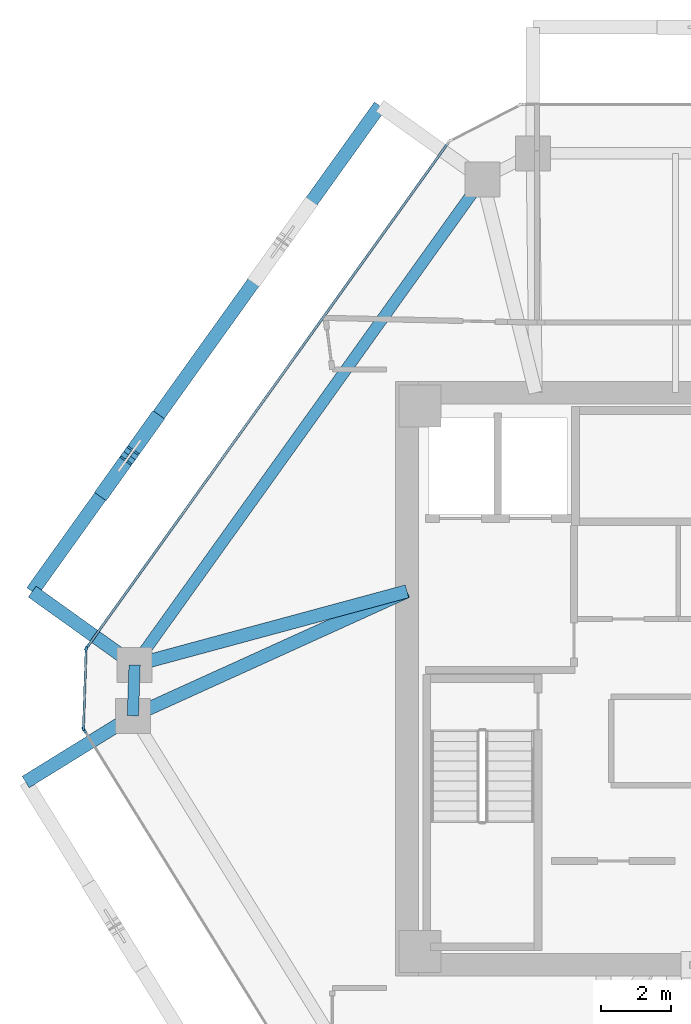
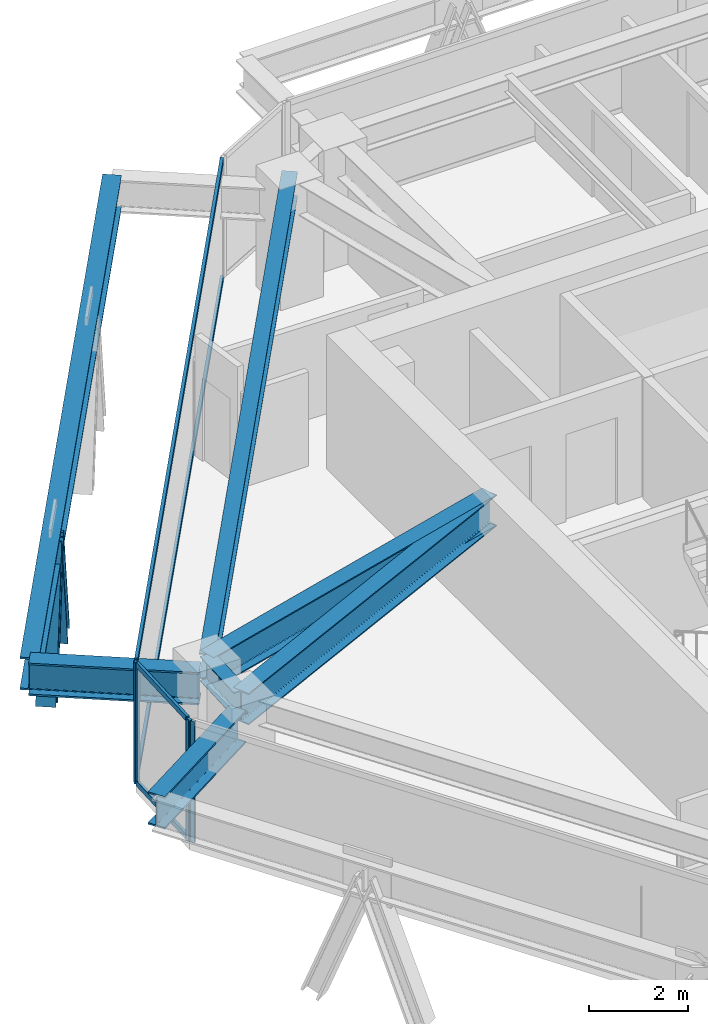
# One storey, part 4 of 14: 10 members, 7 beams, 3 elements without a shape of their own.
"""IFC4 building model written with IfcOpenShell, lengths in metres."""

from ifc_helpers import new_model, si_unit, direction, frame, origin, origin_2d, place, context, subcontext, project, spatial, rectangle, i_section, extrude, source, transform, mapped, material, layer, layer_set, material_profile, profile_set, type_object, type_shapes, element, aggregate, save


model = new_model("IFC4")

# Units and contexts
model_context = context("Model", 3, precision=1e-05, world=origin(), true_north=direction((0.0, 1.0)))
body_context = subcontext(model_context, "Body", "Model", "MODEL_VIEW")
ifc_project = project(units=[si_unit("LENGTHUNIT", "METRE"), si_unit("AREAUNIT", "SQUARE_METRE"), si_unit("VOLUMEUNIT", "CUBIC_METRE"), si_unit("PLANEANGLEUNIT", "RADIAN"), si_unit("MASSUNIT", "GRAM", prefix="KILO")], contexts=[model_context])

# Site, building, storey
site_placement = place(None, origin())
site = spatial("IfcSite", under=ifc_project, at=site_placement, CompositionType="ELEMENT")
building_placement = place(site_placement, origin())
building = spatial("IfcBuilding", under=site, at=building_placement, Name="Durnholm Broadcast Tower", CompositionType="ELEMENT")
storey_placement = place(building_placement, frame((0.0, 0.0, 159.300048828125)))
storey = spatial("IfcBuildingStorey", under=building, at=storey_placement, Name="L43", CompositionType="ELEMENT", Elevation=159.300048828125)

# Beams
ifc_material_1 = material(Name="Steel ASTM A992 Grade 50", Category="steel")
ifc_material_profile_1 = material_profile(ifc_material_1, i_section(OverallWidth=0.385009765625, OverallDepth=0.802978515625, WebThickness=0.023681640625, FlangeThickness=0.0419921875, FilletRadius=0.032958984375, at=origin_2d()), Name="W30X261")
ifc_profile_set_1 = profile_set([ifc_material_profile_1], Name="Steel ASTM A992 Grade 50")
beam_type_1 = type_object("IfcBeamType", Name="BM-EXO-TIE", PredefinedType="USERDEFINED", material=ifc_profile_set_1)
shared_shape_1 = source(origin(), body_context, "Body", "SweptSolid", [
    extrude(i_section(OverallWidth=0.385009765625, OverallDepth=0.802978515625, WebThickness=0.023681640625, FlangeThickness=0.0419921875, FilletRadius=0.032958984375, at=origin_2d()), origin(), (0.0, 0.0, 1.0), 3.4560546875),
])
beam_1_placement = place(storey_placement, frame((-18.131591796875, -1.13232421875, 2.228515625), z_axis=(-0.850662348375, -0.525712439512, 0.0), x_axis=(0.525712439512, -0.850662348375, 0.0)))
element("IfcBeam", 1, at=beam_1_placement, inside=storey, type_object=beam_type_1, Name="L43 exoskeleton stand-off tie bracket F6.1", ObjectType="GIRDER", PredefinedType="USERDEFINED", context=body_context, shape_type="MappedRepresentation", body=[
    mapped(shared_shape_1, transform((0.0, 0.0, 0.0), x_axis=(1.0, 0.0, 0.0), y_axis=(0.0, 1.0, 0.0), z_axis=(0.0, 0.0, 1.0), scale=1.0)),
])
shared_shape_2 = source(origin(), body_context, "Body", "SweptSolid", [
    extrude(i_section(OverallWidth=0.385009765625, OverallDepth=0.802978515625, WebThickness=0.023681640625, FlangeThickness=0.0419921875, FilletRadius=0.032958984375, at=origin_2d()), origin(), (0.0, 0.0, 1.0), 3.455810546875),
])
beam_2_placement = place(storey_placement, frame((-18.076904296875, 0.4794921875, 2.228515625), z_axis=(-0.813112485828, 0.582106592808, 0.0), x_axis=(-0.582106592808, -0.813112485828, 0.0)))
element("IfcBeam", 2, at=beam_2_placement, inside=storey, type_object=beam_type_1, Name="L43 exoskeleton stand-off tie bracket F5.2", ObjectType="GIRDER", PredefinedType="USERDEFINED", context=body_context, shape_type="MappedRepresentation", body=[
    mapped(shared_shape_2, transform((0.0, 0.0, 0.0), x_axis=(1.0, 0.0, 0.0), y_axis=(0.0, 1.0, 0.0), z_axis=(0.0, 0.0, 1.0), scale=1.0)),
])
ifc_material_profile_2 = material_profile(ifc_material_1, i_section(OverallWidth=0.3251953125, OverallDepth=0.6162109375, WebThickness=0.013916015625, FlangeThickness=0.021484375, FilletRadius=0.02783203125, at=origin_2d()), Name="W24X117")
ifc_profile_set_2 = profile_set([ifc_material_profile_2], Name="Steel ASTM A992 Grade 50")
beam_type_2 = type_object("IfcBeamType", Name="STL-SP-W24X117", PredefinedType="SPANDREL", material=ifc_profile_set_2)
shared_shape_3 = source(origin(), body_context, "Body", "SweptSolid", [
    extrude(i_section(OverallWidth=0.3251953125, OverallDepth=0.6162109375, WebThickness=0.013916015625, FlangeThickness=0.021484375, FilletRadius=0.02783203125, at=origin_2d()), origin(), (0.0, 0.0, 1.0), 1.452880859375),
])
beam_3_placement = place(storey_placement, frame((-18.009033203125, -1.056640625, 2.65673828125), z_axis=(0.03377359304, 0.999429509477, 0.0), x_axis=(-0.999429509477, 0.03377359304, 0.0)))
element("IfcBeam", 3, at=beam_3_placement, inside=storey, type_object=beam_type_2, Name="L43 perimeter spandrel girder 02", PredefinedType="SPANDREL", context=body_context, shape_type="MappedRepresentation", body=[
    mapped(shared_shape_3, transform((0.0, 0.0, 0.0), x_axis=(1.0, 0.0, 0.0), y_axis=(0.0, 1.0, 0.0), z_axis=(0.0, 0.0, 1.0), scale=1.0)),
])
shared_shape_4 = source(origin(), body_context, "Body", "SweptSolid", [
    extrude(i_section(OverallWidth=0.3251953125, OverallDepth=0.6162109375, WebThickness=0.013916015625, FlangeThickness=0.021484375, FilletRadius=0.02783203125, at=origin_2d()), origin(), (0.0, 0.0, 1.0), 17.07177734375),
])
type_shapes(beam_type_2, [shared_shape_3, shared_shape_4])
beam_4_placement = place(storey_placement, frame((-17.9599609375, 0.3955078125, 2.65673828125), z_axis=(0.582142843258, 0.813086532937, 0.0), x_axis=(-0.813086532937, 0.582142843258, 0.0)))
element("IfcBeam", 4, at=beam_4_placement, inside=storey, type_object=beam_type_2, Name="L43 perimeter spandrel girder 03", PredefinedType="SPANDREL", context=body_context, shape_type="MappedRepresentation", body=[
    mapped(shared_shape_4, transform((0.0, 0.0, 0.0), x_axis=(1.0, 0.0, 0.0), y_axis=(0.0, 1.0, 0.0), z_axis=(0.0, 0.0, 1.0), scale=1.0)),
])
shared_shape_5 = source(origin(), body_context, "Body", "SweptSolid", [
    extrude(i_section(OverallWidth=0.385009765625, OverallDepth=0.802978515625, WebThickness=0.023681640625, FlangeThickness=0.0419921875, FilletRadius=0.032958984375, at=origin_2d()), origin(), (0.0, 0.0, 1.0), 17.07177734375),
])
type_shapes(beam_type_1, [shared_shape_1, shared_shape_2, shared_shape_5])
beam_5_placement = place(storey_placement, frame((-10.948974609375, 16.3720703125, 2.228515625), z_axis=(-0.582133388739, -0.813093301974, 0.0), x_axis=(0.813093301974, -0.582133388739, 0.0)))
element("IfcBeam", 5, at=beam_5_placement, inside=storey, type_object=beam_type_1, Name="L43 exoskeleton collector spandrel F5", PredefinedType="SPANDREL", context=body_context, shape_type="MappedRepresentation", body=[
    mapped(shared_shape_5, transform((0.0, 0.0, 0.0), x_axis=(1.0, 0.0, 0.0), y_axis=(0.0, 1.0, 0.0), z_axis=(0.0, 0.0, 1.0), scale=1.0)),
])
ifc_material_profile_3 = material_profile(ifc_material_1, i_section(OverallWidth=0.380615234375, OverallDepth=0.773193359375, WebThickness=0.0166015625, FlangeThickness=0.027099609375, FilletRadius=0.032958984375, at=origin_2d()), Name="W30X173")
ifc_profile_set_3 = profile_set([ifc_material_profile_3], Name="Steel ASTM A992 Grade 50")
beam_type_3 = type_object("IfcBeamType", Name="STL-GR-W30X173", PredefinedType="USERDEFINED", material=ifc_profile_set_3)
shared_shape_6 = source(origin(), body_context, "Body", "SweptSolid", [
    extrude(i_section(OverallWidth=0.380615234375, OverallDepth=0.773193359375, WebThickness=0.0166015625, FlangeThickness=0.027099609375, FilletRadius=0.032958984375, at=origin_2d()), origin(), (0.0, 0.0, 1.0), 8.603515625),
])
beam_6_placement = place(storey_placement, frame((-10.175048828125, 2.5, 2.578369140625), z_axis=(-0.910552971728, -0.413392411248, 0.0), x_axis=(0.413392411248, -0.910552971728, 0.0)))
element("IfcBeam", 6, at=beam_6_placement, inside=storey, type_object=beam_type_3, Name="L43 radial primary floor girder 02", ObjectType="GIRDER", PredefinedType="USERDEFINED", context=body_context, shape_type="MappedRepresentation", body=[
    mapped(shared_shape_6, transform((0.0, 0.0, 0.0), x_axis=(1.0, 0.0, 0.0), y_axis=(0.0, 1.0, 0.0), z_axis=(0.0, 0.0, 1.0), scale=1.0)),
])
shared_shape_7 = source(origin(), body_context, "Body", "SweptSolid", [
    extrude(i_section(OverallWidth=0.380615234375, OverallDepth=0.773193359375, WebThickness=0.0166015625, FlangeThickness=0.027099609375, FilletRadius=0.032958984375, at=origin_2d()), origin(), (0.0, 0.0, 1.0), 8.064453125),
])
type_shapes(beam_type_3, [shared_shape_6, shared_shape_7])
beam_7_placement = place(storey_placement, frame((-10.175048828125, 2.5, 2.578369140625), z_axis=(-0.96534896552, -0.260962401066, 0.0), x_axis=(0.260962401066, -0.96534896552, 0.0)))
element("IfcBeam", 7, at=beam_7_placement, inside=storey, type_object=beam_type_3, Name="L43 radial primary floor girder 03", ObjectType="GIRDER", PredefinedType="USERDEFINED", context=body_context, shape_type="MappedRepresentation", body=[
    mapped(shared_shape_7, transform((0.0, 0.0, 0.0), x_axis=(1.0, 0.0, 0.0), y_axis=(0.0, 1.0, 0.0), z_axis=(0.0, 0.0, 1.0), scale=1.0)),
])

# Members
ifc_material_2 = material(Name="Steel ASTM A913 Grade 65", Category="steel")
ifc_material_profile_4 = material_profile(ifc_material_2, i_section(OverallWidth=0.412109375, OverallDepth=0.434814453125, WebThickness=0.035888671875, FlangeThickness=0.057373046875, FilletRadius=0.030517578125, at=origin_2d()), Name="W14X311")
ifc_profile_set_4 = profile_set([ifc_material_profile_4], Name="Steel ASTM A913 Grade 65")
member_type_1 = type_object("IfcMemberType", Name="STL-DG-W14X311", PredefinedType="BRACE", material=ifc_profile_set_4)
shared_shape_8 = source(origin(), body_context, "Body", "SweptSolid", [
    extrude(i_section(OverallWidth=0.412109375, OverallDepth=0.434814453125, WebThickness=0.035888671875, FlangeThickness=0.057373046875, FilletRadius=0.030517578125, at=origin_2d()), origin(), (0.0, 0.0, 1.0), 3.4482421875),
])
type_shapes(member_type_1, [shared_shape_8])
for number, where, z_axis, x_axis, name in (
    (8, (-17.38623046875, 7.381103515625, -0.991455078125), (-0.20829710249, -0.290922091819, 0.933796901679), (0.813077820009, -0.582155012526, 0.0), "L43 stand-off diagrid brace F5.D2.1"),
    (9, (-18.822509765625, 5.374755859375, -0.991455078125), (0.208229371701, 0.290926381611, 0.933810670984), (-0.813171482985, 0.58202417412, 0.0), "L43 stand-off diagrid brace F5.D2.2"),
):
    element("IfcMember", number, at=place(storey_placement, frame(where, z_axis=z_axis, x_axis=x_axis)), inside=storey, type_object=member_type_1, Name=name, PredefinedType="BRACE", context=body_context, shape_type="MappedRepresentation", body=[
        mapped(shared_shape_8, transform((0.0, 0.0, 0.0), x_axis=(1.0, 0.0, 0.0), y_axis=(0.0, 1.0, 0.0), z_axis=(0.0, 0.0, 1.0), scale=1.0)),
    ])

# Curtain wall, members
ifc_material_3 = material(Name="Aluminium and Solar Control IGU", Category="aluminium")
ifc_layer_1 = layer(ifc_material_3, 0.1650390625)
ifc_layer_set_1 = layer_set([ifc_layer_1], Name="Aluminium and Solar Control IGU")
curtain_wall_type_1 = type_object("IfcCurtainWallType", Name="CW-SYS-5", PredefinedType="NOTDEFINED", material=ifc_layer_set_1)
curtain_wall_1_placement = place(storey_placement, origin())
curtain_wall_1 = element("IfcCurtainWall", 10, at=curtain_wall_1_placement, inside=storey, type_object=curtain_wall_type_1, Name="L43 curtain wall CW-CORNER CW-L43-CRN-01", PredefinedType="NOTDEFINED")
ifc_material_4 = material(Name="Aluminium 6063-T6", Category="aluminium")
ifc_material_profile_5 = material_profile(ifc_material_4, rectangle(XDim=0.06494140625, YDim=0.1298828125, at=origin_2d()), Name="CWT65X130")
ifc_profile_set_5 = profile_set([ifc_material_profile_5], Name="Aluminium 6063-T6")
member_type_2 = type_object("IfcMemberType", Name="CW-SYS-5-TRN", PredefinedType="USERDEFINED", material=ifc_profile_set_5)
shared_shape_9 = source(origin(), body_context, "Body", "SweptSolid", [
    extrude(rectangle(XDim=0.06494140625, YDim=0.1298828125, at=origin_2d()), origin(), (0.0, 0.0, 1.0), 2.169921875),
])
type_shapes(member_type_2, [shared_shape_9])
member_1_placement = place(storey_placement, frame((-19.42041015625, -1.367431640625, 0.032470703125), z_axis=(0.033865512339, 0.999426399028, 0.0), x_axis=(-0.999426399028, 0.033865512339, 0.0)))
member_1 = element("IfcMember", 11, at=member_1_placement, type_object=member_type_2, Name="CW-CORNER transom 1.1", ObjectType="TRANSOM", PredefinedType="USERDEFINED", context=body_context, shape_type="MappedRepresentation", body=[
    mapped(shared_shape_9, transform((0.0, 0.0, 0.0), x_axis=(1.0, 0.0, 0.0), y_axis=(0.0, 1.0, 0.0), z_axis=(0.0, 0.0, 1.0), scale=1.0)),
])
member_2_placement = place(storey_placement, frame((-19.42041015625, -1.367431640625, 2.947509765625), z_axis=(0.033865512339, 0.999426399028, 0.0), x_axis=(-0.999426399028, 0.033865512339, 0.0)))
member_2 = element("IfcMember", 12, at=member_2_placement, type_object=member_type_2, Name="CW-CORNER transom 1.2", ObjectType="TRANSOM", PredefinedType="USERDEFINED", context=body_context, shape_type="MappedRepresentation", body=[
    mapped(shared_shape_9, transform((0.0, 0.0, 0.0), x_axis=(1.0, 0.0, 0.0), y_axis=(0.0, 1.0, 0.0), z_axis=(0.0, 0.0, 1.0), scale=1.0)),
])
ifc_material_profile_6 = material_profile(ifc_material_4, rectangle(XDim=0.06494140625, YDim=0.1650390625, at=origin_2d()), Name="CWM65X165")
ifc_profile_set_6 = profile_set([ifc_material_profile_6], Name="Aluminium 6063-T6")
member_type_3 = type_object("IfcMemberType", Name="CW-SYS-5-MUL", PredefinedType="MULLION", material=ifc_profile_set_6)
shared_shape_10 = source(origin(), body_context, "Body", "SweptSolid", [
    extrude(rectangle(XDim=0.06494140625, YDim=0.1650390625, at=origin_2d()), origin(), (0.0, 0.0, 1.0), 2.97998046875),
])
type_shapes(member_type_3, [shared_shape_10])
member_3_placement = place(storey_placement, frame((-19.421630859375, -1.39990234375, 0.0), z_axis=(0.0, 0.0, 1.0), x_axis=(-0.999424798802, 0.033912704699, 0.0)))
member_3 = element("IfcMember", 13, at=member_3_placement, type_object=member_type_3, Name="CW-CORNER mullion 1", PredefinedType="MULLION", context=body_context, shape_type="MappedRepresentation", body=[
    mapped(shared_shape_10, transform((0.0, 0.0, 0.0), x_axis=(1.0, 0.0, 0.0), y_axis=(0.0, 1.0, 0.0), z_axis=(0.0, 0.0, 1.0), scale=1.0)),
])
member_4_placement = place(storey_placement, frame((-19.345703125, 0.833740234375, 0.0), z_axis=(0.0, 0.0, 1.0), x_axis=(-0.999424798802, 0.033912704699, 0.0)))
member_4 = element("IfcMember", 14, at=member_4_placement, type_object=member_type_3, Name="CW-CORNER mullion 2", PredefinedType="MULLION", context=body_context, shape_type="MappedRepresentation", body=[
    mapped(shared_shape_10, transform((0.0, 0.0, 0.0), x_axis=(1.0, 0.0, 0.0), y_axis=(0.0, 1.0, 0.0), z_axis=(0.0, 0.0, 1.0), scale=1.0)),
])
aggregate(curtain_wall_1, [member_3, member_4, member_1, member_2])

# Curtain wall, member
ifc_layer_2 = layer(ifc_material_3, 0.18994140625)
ifc_layer_set_2 = layer_set([ifc_layer_2], Name="Aluminium and Solar Control IGU")
curtain_wall_type_2 = type_object("IfcCurtainWallType", Name="CW-SYS-4", PredefinedType="NOTDEFINED", material=ifc_layer_set_2)
curtain_wall_2_placement = place(storey_placement, origin())
curtain_wall_2 = element("IfcCurtainWall", 15, at=curtain_wall_2_placement, inside=storey, type_object=curtain_wall_type_2, Name="L43 curtain wall CW-Z34-VIS CW-L43-F02", PredefinedType="NOTDEFINED")
ifc_material_profile_7 = material_profile(ifc_material_4, rectangle(XDim=0.070068359375, YDim=0.18994140625, at=origin_2d()), Name="CWM70X190")
ifc_profile_set_7 = profile_set([ifc_material_profile_7], Name="Aluminium 6063-T6")
member_type_4 = type_object("IfcMemberType", Name="CW-SYS-4-MUL", PredefinedType="MULLION", material=ifc_profile_set_7)
shared_shape_11 = source(origin(), body_context, "Body", "SweptSolid", [
    extrude(rectangle(XDim=0.070068359375, YDim=0.18994140625, at=origin_2d()), origin(), (0.0, 0.0, 1.0), 2.97998046875),
])
type_shapes(member_type_4, [shared_shape_11])
member_5_placement = place(storey_placement, frame((-19.32421875, 0.894775390625, 0.0), z_axis=(0.0, 0.0, 1.0), x_axis=(-0.813089262696, 0.582139030549, 0.0)))
member_5 = element("IfcMember", 16, at=member_5_placement, type_object=member_type_4, Name="CW-Z34-VIS mullion 1", PredefinedType="MULLION", context=body_context, shape_type="MappedRepresentation", body=[
    mapped(shared_shape_11, transform((0.0, 0.0, 0.0), x_axis=(1.0, 0.0, 0.0), y_axis=(0.0, 1.0, 0.0), z_axis=(0.0, 0.0, 1.0), scale=1.0)),
])

curtain_wall_3_placement = place(storey_placement, origin())
curtain_wall_3 = element("IfcCurtainWall", 17, at=curtain_wall_3_placement, inside=storey, type_object=curtain_wall_type_2, Name="L43 curtain wall CW-Z34-VIS CW-L43-F12", PredefinedType="NOTDEFINED")
member_6_placement = place(storey_placement, frame((-19.404296875, -1.462158203125, 0.0), z_axis=(0.0, 0.0, 1.0), x_axis=(-0.850671426092, -0.525697750452, 0.0)))
member_6 = element("IfcMember", 18, at=member_6_placement, type_object=member_type_4, Name="CW-Z34-VIS mullion 2", PredefinedType="MULLION", context=body_context, shape_type="MappedRepresentation", body=[
    mapped(shared_shape_11, transform((0.0, 0.0, 0.0), x_axis=(1.0, 0.0, 0.0), y_axis=(0.0, 1.0, 0.0), z_axis=(0.0, 0.0, 1.0), scale=1.0)),
])
aggregate(curtain_wall_3, [member_6])

# Member
ifc_material_profile_8 = material_profile(ifc_material_4, rectangle(XDim=0.070068359375, YDim=0.14990234375, at=origin_2d()), Name="CWT70X150")
ifc_profile_set_8 = profile_set([ifc_material_profile_8], Name="Aluminium 6063-T6")
member_type_5 = type_object("IfcMemberType", Name="CW-SYS-4-TRN", PredefinedType="USERDEFINED", material=ifc_profile_set_8)
shared_shape_12 = source(origin(), body_context, "Body", "SweptSolid", [
    extrude(rectangle(XDim=0.070068359375, YDim=0.14990234375, at=origin_2d()), origin(), (0.0, 0.0, 1.0), 17.69384765625),
])
type_shapes(member_type_5, [shared_shape_12])
member_7_placement = place(storey_placement, frame((-19.303955078125, 0.923095703125, 0.034912109375), z_axis=(0.582138438195, 0.813089686797, 0.0), x_axis=(-0.813089686797, 0.582138438195, 0.0)))
member_7 = element("IfcMember", 19, at=member_7_placement, type_object=member_type_5, Name="CW-Z34-VIS transom 1.1", ObjectType="TRANSOM", PredefinedType="USERDEFINED", context=body_context, shape_type="MappedRepresentation", body=[
    mapped(shared_shape_12, transform((0.0, 0.0, 0.0), x_axis=(1.0, 0.0, 0.0), y_axis=(0.0, 1.0, 0.0), z_axis=(0.0, 0.0, 1.0), scale=1.0)),
])

member_8_placement = place(storey_placement, frame((-19.303955078125, 0.923095703125, 2.945068359375), z_axis=(0.582138438195, 0.813089686797, 0.0), x_axis=(-0.813089686797, 0.582138438195, 0.0)))
member_8 = element("IfcMember", 20, at=member_8_placement, type_object=member_type_5, Name="CW-Z34-VIS transom 1.2", ObjectType="TRANSOM", PredefinedType="USERDEFINED", context=body_context, shape_type="MappedRepresentation", body=[
    mapped(shared_shape_12, transform((0.0, 0.0, 0.0), x_axis=(1.0, 0.0, 0.0), y_axis=(0.0, 1.0, 0.0), z_axis=(0.0, 0.0, 1.0), scale=1.0)),
])

aggregate(curtain_wall_2, [member_5, member_7, member_8])

save(model, "model.ifc")
